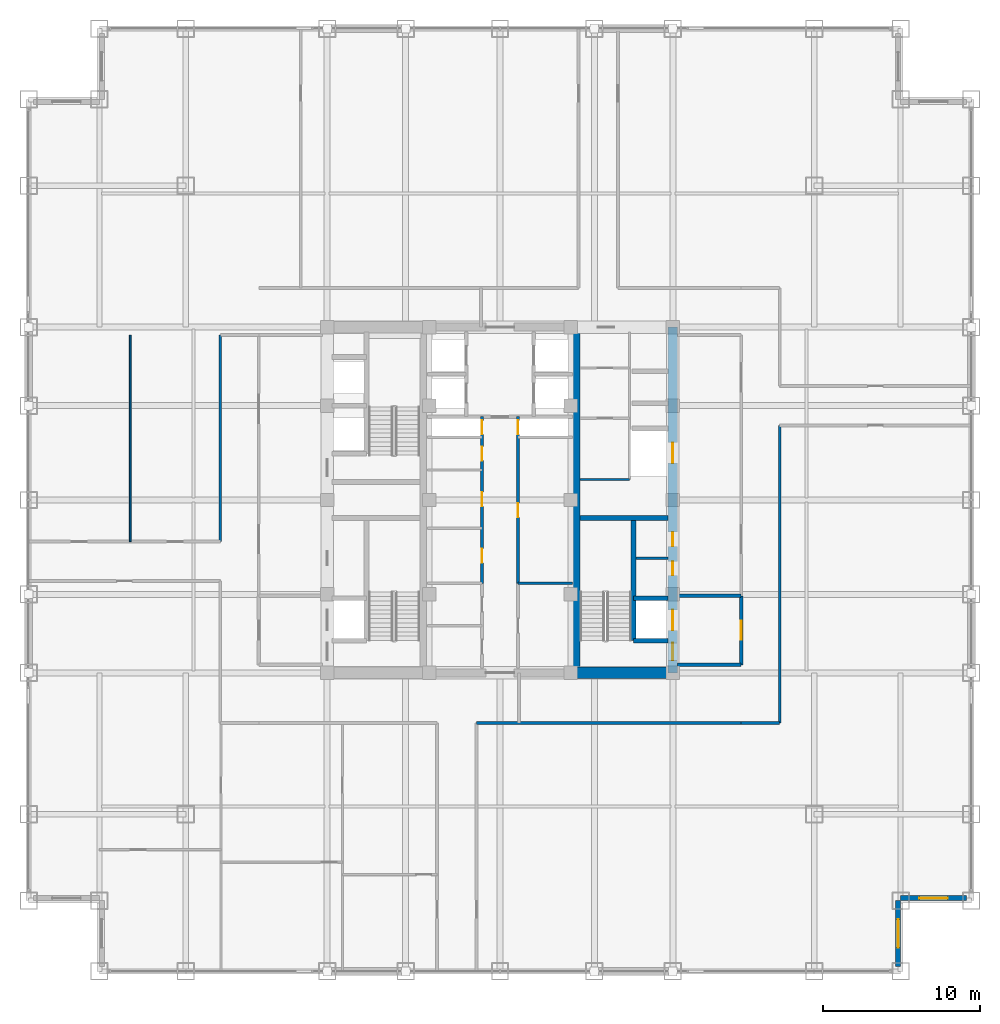
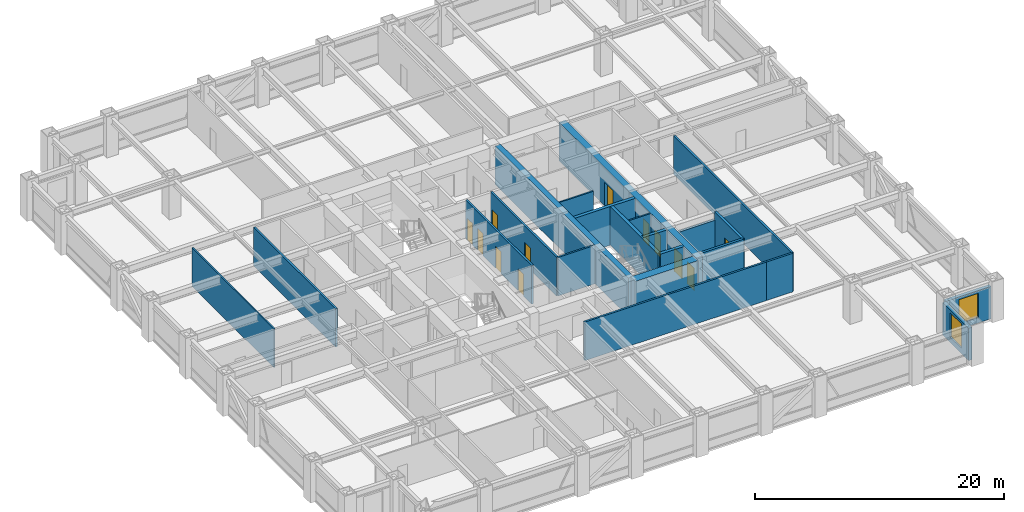
# One storey, part 21 of 24: 22 walls, 12 doors, 2 windows, 14 openings.
"""IFC4 building model written with IfcOpenShell, lengths in metres."""

from ifc_helpers import new_model, si_unit, direction, frame, frame_2d, origin, place, context, subcontext, project, spatial, rectangle, extrude, source, transform, mapped, material, layer, layer_set, type_object, element, fill, save


model = new_model("IFC4")

# Units and contexts
model_context = context("Model", 3, precision=1e-05, world=origin(), true_north=direction((0.0, 1.0)))
body_context = subcontext(model_context, "Body", "Model", "MODEL_VIEW")
ifc_project = project(units=[si_unit("LENGTHUNIT", "METRE"), si_unit("AREAUNIT", "SQUARE_METRE"), si_unit("VOLUMEUNIT", "CUBIC_METRE"), si_unit("PLANEANGLEUNIT", "RADIAN"), si_unit("MASSUNIT", "GRAM", prefix="KILO")], contexts=[model_context])

# Site, building, storey
site_placement = place(None, origin())
site = spatial("IfcSite", under=ifc_project, at=site_placement, CompositionType="ELEMENT")
building_placement = place(site_placement, origin())
building = spatial("IfcBuilding", under=site, at=building_placement, Name="Khorayat Bourse Tower", CompositionType="ELEMENT")
storey_placement = place(building_placement, frame((0.0, 0.0, 171.10009765625)))
storey = spatial("IfcBuildingStorey", under=building, at=storey_placement, Name="L39", CompositionType="ELEMENT", Elevation=171.10009765625)

# Wall, openings, doors
ifc_material_1 = material(Name="Concrete C60/75", Category="concrete")
ifc_layer_1 = layer(ifc_material_1, 0.60009765625)
ifc_layer_set_1 = layer_set([ifc_layer_1], Name="Concrete C60/75")
wall_type_1 = type_object("IfcWallType", Name="WAL-CORE-600", PredefinedType="SHEAR", material=ifc_layer_set_1)
shared_shape_1 = source(origin(), body_context, "Body", "SweptSolid", [
    extrude(rectangle(XDim=22.0, YDim=0.60009765625, at=frame_2d((11.0, 0.0))), origin(), (0.0, 0.0, 1.0), 3.77978515625),
])
wall_1_placement = place(storey_placement, frame((11.0, -11.0, 0.0), z_axis=(0.0, 0.0, 1.0), x_axis=(0.0, 1.0, 0.0)))
wall_1 = element("IfcWall", 1, at=wall_1_placement, inside=storey, type_object=wall_type_1, Name="L39 Core Shear Wall CORE-E", PredefinedType="SHEAR", context=body_context, shape_type="MappedRepresentation", body=[
    mapped(shared_shape_1, transform((0.0, 0.0, 0.0), scale=1.0)),
])
shared_shape_2 = source(origin(), body_context, "Body", "SweptSolid", [
    extrude(rectangle(XDim=1.10009765625, YDim=2.199951171875, at=frame_2d((0.550048828125, 1.10009765625))), frame((0.0, 0.31005859375, 0.0), z_axis=(0.0, -1.0, 0.0), x_axis=(1.0, 0.0, 0.0)), (0.0, 0.0, 1.0), 0.6201171875),
])
opening_1_placement = place(wall_1_placement, frame((0.800048828125, 0.0, 0.0)))
opening_1 = element("IfcOpeningElement", 2, at=opening_1_placement, cuts=wall_1, Name="Opening DI-01", PredefinedType="OPENING", context=body_context, shape_type="MappedRepresentation", body=[
    mapped(shared_shape_2, transform((0.0, 0.0, 0.0), scale=1.0)),
])
shared_shape_3 = source(origin(), body_context, "Body", "SweptSolid", [
    extrude(rectangle(XDim=0.89990234375, YDim=2.14990234375, at=frame_2d((0.449951171875, 1.074951171875))), frame((0.0, 0.31005859375, 0.0), z_axis=(0.0, -1.0, 0.0), x_axis=(1.0, 0.0, 0.0)), (0.0, 0.0, 1.0), 0.6201171875),
])
opening_2_placement = place(wall_1_placement, frame((6.199951171875, 0.0, 0.0)))
opening_2 = element("IfcOpeningElement", 3, at=opening_2_placement, cuts=wall_1, Name="Opening DI-06", PredefinedType="OPENING", context=body_context, shape_type="MappedRepresentation", body=[
    mapped(shared_shape_3, transform((0.0, 0.0, 0.0), scale=1.0)),
])
opening_3_placement = place(wall_1_placement, frame((8.050048828125, 0.0, 0.0)))
opening_3 = element("IfcOpeningElement", 4, at=opening_3_placement, cuts=wall_1, Name="Opening DI-06", PredefinedType="OPENING", context=body_context, shape_type="MappedRepresentation", body=[
    mapped(shared_shape_3, transform((0.0, 0.0, 0.0), scale=1.0)),
])
shared_shape_4 = source(origin(), body_context, "Body", "SweptSolid", [
    extrude(rectangle(XDim=1.300048828125, YDim=2.300048828125, at=frame_2d((0.64990234375, 1.14990234375))), frame((0.0, 0.31005859375, 0.0), z_axis=(0.0, -1.0, 0.0), x_axis=(1.0, 0.0, 0.0)), (0.0, 0.0, 1.0), 0.6201171875),
])
opening_4_placement = place(wall_1_placement, frame((2.699951171875, 0.0, 0.0)))
opening_4 = element("IfcOpeningElement", 5, at=opening_4_placement, cuts=wall_1, Name="Opening LD-02", PredefinedType="OPENING", context=body_context, shape_type="MappedRepresentation", body=[
    mapped(shared_shape_4, transform((0.0, 0.0, 0.0), scale=1.0)),
])
opening_5_placement = place(wall_1_placement, frame((13.35009765625, 0.0, 0.0)))
opening_5 = element("IfcOpeningElement", 6, at=opening_5_placement, cuts=wall_1, Name="Opening LD-02", PredefinedType="OPENING", context=body_context, shape_type="MappedRepresentation", body=[
    mapped(shared_shape_4, transform((0.0, 0.0, 0.0), scale=1.0)),
])
ifc_material_2 = material(Name="Fire-rated steel acoustic leaf", Category="steel")
door_type_1 = type_object("IfcDoorType", Name="DR-INT-STAIR-1100", OperationType="NOTDEFINED", PredefinedType="DOOR", material=ifc_material_2)
shared_shape_5 = source(origin(), body_context, "Body", "SweptSolid", [
    extrude(rectangle(XDim=1.10009765625, YDim=2.199951171875, at=frame_2d((0.550048828125, 1.10009765625))), frame((0.0, 0.02490234375, 0.0), z_axis=(0.0, -1.0, 0.0), x_axis=(1.0, 0.0, 0.0)), (0.0, 0.0, 1.0), 0.050048828125),
])
door_1_placement = place(opening_1_placement, origin())
door_1 = element("IfcDoor", 7, at=door_1_placement, inside=storey, type_object=door_type_1, Name="L39 Exit Stair 3 Door", OperationType="SINGLE_SWING_LEFT", OverallHeight=2.199951171875, OverallWidth=1.10009765625, PredefinedType="DOOR", context=body_context, shape_type="MappedRepresentation", body=[
    mapped(shared_shape_5, transform((0.0, 0.0, 0.0), scale=1.0)),
])
fill(opening_1, door_1)
ifc_material_3 = material(Name="Moisture-resistant laminate washroom door")
door_type_2 = type_object("IfcDoorType", Name="DR-INT-WC-900", OperationType="NOTDEFINED", PredefinedType="DOOR", material=ifc_material_3)
shared_shape_6 = source(origin(), body_context, "Body", "SweptSolid", [
    extrude(rectangle(XDim=0.89990234375, YDim=2.14990234375, at=frame_2d((0.449951171875, 1.074951171875))), frame((0.0, 0.02490234375, 0.0), z_axis=(0.0, -1.0, 0.0), x_axis=(1.0, 0.0, 0.0)), (0.0, 0.0, 1.0), 0.050048828125),
])
door_2_placement = place(opening_2_placement, origin())
door_2 = element("IfcDoor", 8, at=door_2_placement, inside=storey, type_object=door_type_2, Name="L39 Comms Closet Door", OperationType="SINGLE_SWING_LEFT", OverallHeight=2.14990234375, OverallWidth=0.89990234375, PredefinedType="DOOR", context=body_context, shape_type="MappedRepresentation", body=[
    mapped(shared_shape_6, transform((0.0, 0.0, 0.0), scale=1.0)),
])
fill(opening_2, door_2)
door_3_placement = place(opening_3_placement, origin())
door_3 = element("IfcDoor", 9, at=door_3_placement, inside=storey, type_object=door_type_2, Name="L39 Cleaner Store Door", OperationType="SINGLE_SWING_RIGHT", OverallHeight=2.14990234375, OverallWidth=0.89990234375, PredefinedType="DOOR", context=body_context, shape_type="MappedRepresentation", body=[
    mapped(shared_shape_6, transform((0.0, 0.0, 0.0), scale=1.0)),
])
fill(opening_3, door_3)
ifc_material_4 = material(Name="Fire-rated stainless-steel sliding landing door", Category="steel")
door_type_3 = type_object("IfcDoorType", Name="DR-LIFT-FF-1300", OperationType="NOTDEFINED", PredefinedType="DOOR", material=ifc_material_4)
shared_shape_7 = source(origin(), body_context, "Body", "SweptSolid", [
    extrude(rectangle(XDim=1.300048828125, YDim=2.300048828125, at=frame_2d((0.64990234375, 1.14990234375))), frame((0.0, 0.02490234375, 0.0), z_axis=(0.0, -1.0, 0.0), x_axis=(1.0, 0.0, 0.0)), (0.0, 0.0, 1.0), 0.050048828125),
])
door_4_placement = place(opening_4_placement, origin())
door_4 = element("IfcDoor", 10, at=door_4_placement, inside=storey, type_object=door_type_3, Name="L39 Lift FFL-02 Sliding Landing Door", OperationType="SLIDING_TO_LEFT", OverallHeight=2.300048828125, OverallWidth=1.300048828125, PredefinedType="DOOR", context=body_context, shape_type="MappedRepresentation", body=[
    mapped(shared_shape_7, transform((0.0, 0.0, 0.0), scale=1.0)),
])
fill(opening_4, door_4)
door_5_placement = place(opening_5_placement, origin())
door_5 = element("IfcDoor", 11, at=door_5_placement, inside=storey, type_object=door_type_3, Name="L39 Lift SVL-01 Sliding Landing Door", OperationType="SLIDING_TO_LEFT", OverallHeight=2.300048828125, OverallWidth=1.300048828125, PredefinedType="DOOR", context=body_context, shape_type="MappedRepresentation", body=[
    mapped(shared_shape_7, transform((0.0, 0.0, 0.0), scale=1.0)),
])
fill(opening_5, door_5)

# Walls
ifc_material_5 = material(Name="Concrete C52/65", Category="concrete")
ifc_layer_2 = layer(ifc_material_5, 0.5)
ifc_layer_set_2 = layer_set([ifc_layer_2], Name="Concrete C52/65")
wall_type_2 = type_object("IfcWallType", Name="WAL-CORE-500", PredefinedType="SHEAR", material=ifc_layer_set_2)
shared_shape_8 = source(origin(), body_context, "Body", "SweptSolid", [
    extrude(rectangle(XDim=21.39990234375, YDim=0.5, at=frame_2d((10.699951171875, 0.0))), origin(), (0.0, 0.0, 1.0), 3.77978515625),
])
wall_2_placement = place(storey_placement, frame((4.85009765625, -10.699951171875, 0.0), z_axis=(0.0, 0.0, 1.0), x_axis=(0.0, 1.0, 0.0)))
element("IfcWall", 12, at=wall_2_placement, inside=storey, type_object=wall_type_2, Name="L39 Core Shear Wall PIER-E", PredefinedType="SHEAR", context=body_context, shape_type="MappedRepresentation", body=[
    mapped(shared_shape_8, transform((0.0, 0.0, 0.0), scale=1.0)),
])
ifc_material_6 = material(Name="Concrete C72/90", Category="concrete")
ifc_layer_3 = layer(ifc_material_6, 0.75)
ifc_layer_set_3 = layer_set([ifc_layer_3], Name="Concrete C72/90")
wall_type_3 = type_object("IfcWallType", Name="WAL-CORE-750", PredefinedType="SHEAR", material=ifc_layer_set_3)
shared_shape_9 = source(origin(), body_context, "Body", "SweptSolid", [
    extrude(rectangle(XDim=5.849853515625, YDim=0.75, at=frame_2d((2.9248046875, 0.0))), origin(), (0.0, 0.0, 1.0), 3.77978515625),
])
wall_3_placement = place(storey_placement, frame((4.85009765625, -11.0, 0.0), z_axis=(0.0, 0.0, 1.0), x_axis=(1.0, 0.0, 0.0)))
element("IfcWall", 13, at=wall_3_placement, inside=storey, type_object=wall_type_3, Name="L39 Core Shear Wall PIER-ES", PredefinedType="SHEAR", context=body_context, shape_type="MappedRepresentation", body=[
    mapped(shared_shape_9, transform((0.0, 0.0, 0.0), scale=1.0)),
])
ifc_material_7 = material(Name="Concrete C50/60", Category="concrete")
ifc_layer_4 = layer(ifc_material_7, 0.300048828125)
ifc_layer_set_4 = layer_set([ifc_layer_4], Name="Concrete C50/60")
wall_type_4 = type_object("IfcWallType", Name="WAL-SHAFT-300", PredefinedType="SHEAR", material=ifc_layer_set_4)
shared_shape_10 = source(origin(), body_context, "Body", "SweptSolid", [
    extrude(rectangle(XDim=5.599853515625, YDim=0.300048828125, at=frame_2d((2.7998046875, 0.0))), origin(), (0.0, 0.0, 1.0), 3.77978515625),
])
wall_4_placement = place(storey_placement, frame((5.10009765625, -1.14990234375, 0.0), z_axis=(0.0, 0.0, 1.0), x_axis=(1.0, 0.0, 0.0)))
element("IfcWall", 14, at=wall_4_placement, inside=storey, type_object=wall_type_4, Name="L39 Core Shear Wall ST3-DIV", PredefinedType="SHEAR", context=body_context, shape_type="MappedRepresentation", body=[
    mapped(shared_shape_10, transform((0.0, 0.0, 0.0), scale=1.0)),
])

# Wall, opening, window
ifc_material_8 = material(Name="Precast concrete C45/55", Category="concrete")
ifc_layer_5 = layer(ifc_material_8, 0.320068359375)
ifc_layer_set_5 = layer_set([ifc_layer_5], Name="Precast concrete C45/55")
wall_type_5 = type_object("IfcWallType", Name="WAL-EXT-STONE-320", PredefinedType="STANDARD", material=ifc_layer_set_5)
shared_shape_11 = source(origin(), body_context, "Body", "SweptSolid", [
    extrude(rectangle(XDim=4.179931640625, YDim=0.320068359375, at=frame_2d((2.08984375, 0.0))), origin(), (0.0, 0.0, 1.0), 3.163818359375),
])
wall_5_placement = place(storey_placement, frame((25.340087890625, -29.679931640625, 0.0), z_axis=(0.0, 0.0, 1.0), x_axis=(0.0, 1.0, 0.0)))
wall_5 = element("IfcWall", 15, at=wall_5_placement, inside=storey, type_object=wall_type_5, Name="L39 Re-Entrant Notch Limestone Wall SE-V", PredefinedType="STANDARD", context=body_context, shape_type="MappedRepresentation", body=[
    mapped(shared_shape_11, transform((0.0, 0.0, 0.0), scale=1.0)),
])
shared_shape_12 = source(origin(), body_context, "Body", "SweptSolid", [
    extrude(rectangle(XDim=1.800048828125, YDim=2.39990234375, at=frame_2d((0.89990234375, 1.199951171875))), frame((0.0, 0.169921875, 0.0), z_axis=(0.0, -1.0, 0.0), x_axis=(1.0, 0.0, 0.0)), (0.0, 0.0, 1.0), 0.340087890625),
])
opening_6_placement = place(wall_5_placement, frame((1.18994140625, 0.0, 0.5)))
opening_6 = element("IfcOpeningElement", 16, at=opening_6_placement, cuts=wall_5, Name="Opening WN-04", PredefinedType="OPENING", context=body_context, shape_type="MappedRepresentation", body=[
    mapped(shared_shape_12, transform((0.0, 0.0, 0.0), scale=1.0)),
])
ifc_material_9 = material(Name="Low-E acoustic laminated double glazing", Category="glass")
window_type = type_object("IfcWindowType", Name="WIN-NOTCH-1800x2400", PartitioningType="SINGLE_PANEL", PredefinedType="WINDOW", material=ifc_material_9)
shared_shape_13 = source(origin(), body_context, "Body", "SweptSolid", [
    extrude(rectangle(XDim=1.800048828125, YDim=2.39990234375, at=frame_2d((0.89990234375, 1.199951171875))), frame((0.0, 0.030029296875, 0.0), z_axis=(0.0, -1.0, 0.0), x_axis=(1.0, 0.0, 0.0)), (0.0, 0.0, 1.0), 0.06005859375),
])
window_1_placement = place(opening_6_placement, origin())
window_1 = element("IfcWindow", 17, at=window_1_placement, inside=storey, type_object=window_type, Name="L39 Facade Window 1", OverallHeight=2.39990234375, OverallWidth=1.800048828125, PartitioningType="SINGLE_PANEL", PredefinedType="WINDOW", context=body_context, shape_type="MappedRepresentation", body=[
    mapped(shared_shape_13, transform((0.0, 0.0, 0.0), scale=1.0)),
])
fill(opening_6, window_1)

wall_6_placement = place(storey_placement, frame((25.5, -25.340087890625, 0.0), z_axis=(0.0, 0.0, 1.0), x_axis=(1.0, 0.0, 0.0)))
wall_6 = element("IfcWall", 18, at=wall_6_placement, inside=storey, type_object=wall_type_5, Name="L39 Re-Entrant Notch Limestone Wall SE-H", PredefinedType="STANDARD", context=body_context, shape_type="MappedRepresentation", body=[
    mapped(shared_shape_11, transform((0.0, 0.0, 0.0), scale=1.0)),
])
opening_7_placement = place(wall_6_placement, frame((1.18994140625, 0.0, 0.5)))
opening_7 = element("IfcOpeningElement", 19, at=opening_7_placement, cuts=wall_6, Name="Opening WN-04", PredefinedType="OPENING", context=body_context, shape_type="MappedRepresentation", body=[
    mapped(shared_shape_12, transform((0.0, 0.0, 0.0), scale=1.0)),
])
window_2_placement = place(opening_7_placement, origin())
window_2 = element("IfcWindow", 20, at=window_2_placement, inside=storey, type_object=window_type, Name="L39 Facade Window 1", OverallHeight=2.39990234375, OverallWidth=1.800048828125, PartitioningType="SINGLE_PANEL", PredefinedType="WINDOW", context=body_context, shape_type="MappedRepresentation", body=[
    mapped(shared_shape_13, transform((0.0, 0.0, 0.0), scale=1.0)),
])
fill(opening_7, window_2)

# Walls
shared_shape_14 = source(origin(), body_context, "Body", "SweptSolid", [
    extrude(rectangle(XDim=7.800048828125, YDim=0.300048828125, at=frame_2d((3.89990234375, 0.0))), origin(), (0.0, 0.0, 1.0), 3.77978515625),
])
wall_7_placement = place(storey_placement, frame((8.5, -8.949951171875, 0.0), z_axis=(0.0, 0.0, 1.0), x_axis=(0.0, 1.0, 0.0)))
element("IfcWall", 21, at=wall_7_placement, inside=storey, type_object=wall_type_4, Name="L39 Partition WAL-L39-EPIER-SP", PredefinedType="SHEAR", context=body_context, shape_type="MappedRepresentation", body=[
    mapped(shared_shape_14, transform((0.0, 0.0, 0.0), scale=1.0)),
])
shared_shape_15 = source(origin(), body_context, "Body", "SweptSolid", [
    extrude(rectangle(XDim=2.199951171875, YDim=0.300048828125, at=frame_2d((1.10009765625, 0.0))), origin(), (0.0, 0.0, 1.0), 3.77978515625),
])
for number, where, z_axis, x_axis, name in (
    (22, (8.5, -8.949951171875, 0.0), (0.0, 0.0, 1.0), (1.0, 0.0, 0.0), "L39 Partition WAL-L39-EPIER-FF2S"),
    (23, (8.5, -6.25, 0.0), (0.0, 0.0, 1.0), (1.0, 0.0, 0.0), "L39 Partition WAL-L39-EPIER-FF2N"),
):
    element("IfcWall", number, at=place(storey_placement, frame(where, z_axis=z_axis, x_axis=x_axis)), inside=storey, type_object=wall_type_4, Name=name, PredefinedType="SHEAR", context=body_context, shape_type="MappedRepresentation", body=[
        mapped(shared_shape_15, transform((0.0, 0.0, 0.0), scale=1.0)),
    ])
ifc_material_10 = material(Name="Gypsum plasterboard twin-frame partition")
ifc_layer_6 = layer(ifc_material_10, 0.14990234375)
ifc_layer_set_6 = layer_set([ifc_layer_6], Name="Gypsum plasterboard twin-frame partition")
wall_type_6 = type_object("IfcWallType", Name="WAL-PART-SUITE-150", PredefinedType="PARTITIONING", material=ifc_layer_set_6)
shared_shape_16 = source(origin(), body_context, "Body", "SweptSolid", [
    extrude(rectangle(XDim=2.050048828125, YDim=0.14990234375, at=frame_2d((1.02490234375, 0.0))), origin(), (0.0, 0.0, 1.0), 3.77978515625),
])
wall_8_placement = place(storey_placement, frame((8.64990234375, -3.699951171875, 0.0), z_axis=(0.0, 0.0, 1.0), x_axis=(1.0, 0.0, 0.0)))
element("IfcWall", 24, at=wall_8_placement, inside=storey, type_object=wall_type_6, Name="L39 Partition WAL-L39-ESRV-D1", PredefinedType="PARTITIONING", context=body_context, shape_type="MappedRepresentation", body=[
    mapped(shared_shape_16, transform((0.0, 0.0, 0.0), scale=1.0)),
])
ifc_material_11 = material(Name="Moisture-resistant masonry partition", Category="masonry")
ifc_layer_7 = layer(ifc_material_11, 0.139892578125)
ifc_layer_set_7 = layer_set([ifc_layer_7], Name="Moisture-resistant masonry partition")
wall_type_7 = type_object("IfcWallType", Name="WAL-PART-WET-140", PredefinedType="PARTITIONING", material=ifc_layer_set_7)
shared_shape_17 = source(origin(), body_context, "Body", "SweptSolid", [
    extrude(rectangle(XDim=3.14990234375, YDim=0.139892578125, at=frame_2d((1.574951171875, 0.0))), origin(), (0.0, 0.0, 1.0), 3.77978515625),
])
wall_9_placement = place(storey_placement, frame((5.10009765625, 1.300048828125, 0.0), z_axis=(0.0, 0.0, 1.0), x_axis=(1.0, 0.0, 0.0)))
element("IfcWall", 25, at=wall_9_placement, inside=storey, type_object=wall_type_7, Name="L39 Partition WAL-L39-ECORE-S", PredefinedType="PARTITIONING", context=body_context, shape_type="MappedRepresentation", body=[
    mapped(shared_shape_17, transform((0.0, 0.0, 0.0), scale=1.0)),
])
ifc_material_12 = material(Name="Aerated concrete blockwork", Category="masonry")
ifc_layer_8 = layer(ifc_material_12, 0.219970703125)
ifc_layer_set_8 = layer_set([ifc_layer_8], Name="Aerated concrete blockwork")
wall_type_8 = type_object("IfcWallType", Name="WAL-PART-FF-220", PredefinedType="PARTITIONING", material=ifc_layer_set_8)
shared_shape_18 = source(origin(), body_context, "Body", "SweptSolid", [
    extrude(rectangle(XDim=4.050048828125, YDim=0.219970703125, at=frame_2d((2.02490234375, 0.0))), origin(), (0.0, 0.0, 1.0), 3.77978515625),
])
wall_10_placement = place(storey_placement, frame((11.300048828125, -10.5, 0.0), z_axis=(0.0, 0.0, 1.0), x_axis=(1.0, 0.0, 0.0)))
element("IfcWall", 26, at=wall_10_placement, inside=storey, type_object=wall_type_8, Name="L39 Partition WAL-L39-FFLE-S", PredefinedType="PARTITIONING", context=body_context, shape_type="MappedRepresentation", body=[
    mapped(shared_shape_18, transform((0.0, 0.0, 0.0), scale=1.0)),
])
shared_shape_19 = source(origin(), body_context, "Body", "SweptSolid", [
    extrude(rectangle(XDim=4.050048828125, YDim=0.219970703125, at=frame_2d((2.02490234375, 0.0))), origin(), (0.0, 0.0, 1.0), 3.0068359375),
])
wall_11_placement = place(storey_placement, frame((11.300048828125, -6.10009765625, 0.0), z_axis=(0.0, 0.0, 1.0), x_axis=(1.0, 0.0, 0.0)))
element("IfcWall", 27, at=wall_11_placement, inside=storey, type_object=wall_type_8, Name="L39 Partition WAL-L39-FFLE-N", PredefinedType="PARTITIONING", context=body_context, shape_type="MappedRepresentation", body=[
    mapped(shared_shape_19, transform((0.0, 0.0, 0.0), scale=1.0)),
])

# Wall, opening, door
shared_shape_20 = source(origin(), body_context, "Body", "SweptSolid", [
    extrude(rectangle(XDim=4.39990234375, YDim=0.219970703125, at=frame_2d((2.199951171875, 0.0))), origin(), (0.0, 0.0, 1.0), 3.77978515625),
])
wall_12_placement = place(storey_placement, frame((15.35009765625, -10.5, 0.0), z_axis=(0.0, 0.0, 1.0), x_axis=(0.0, 1.0, 0.0)))
wall_12 = element("IfcWall", 28, at=wall_12_placement, inside=storey, type_object=wall_type_8, Name="L39 Partition WAL-L39-FFLE-E", PredefinedType="PARTITIONING", context=body_context, shape_type="MappedRepresentation", body=[
    mapped(shared_shape_20, transform((0.0, 0.0, 0.0), scale=1.0)),
])
shared_shape_21 = source(origin(), body_context, "Body", "SweptSolid", [
    extrude(rectangle(XDim=1.199951171875, YDim=2.199951171875, at=frame_2d((0.60009765625, 1.10009765625))), frame((0.0, 0.119873046875, 0.0), z_axis=(0.0, -1.0, 0.0), x_axis=(1.0, 0.0, 0.0)), (0.0, 0.0, 1.0), 0.239990234375),
])
opening_8_placement = place(wall_12_placement, frame((1.60009765625, 0.0, 0.0)))
opening_8 = element("IfcOpeningElement", 29, at=opening_8_placement, cuts=wall_12, Name="Opening DI-02", PredefinedType="OPENING", context=body_context, shape_type="MappedRepresentation", body=[
    mapped(shared_shape_21, transform((0.0, 0.0, 0.0), scale=1.0)),
])
ifc_material_13 = material(Name="Fire-rated steel double-seal leaf", Category="steel")
door_type_4 = type_object("IfcDoorType", Name="DR-INT-FFLOBBY-1200", OperationType="NOTDEFINED", PredefinedType="DOOR", material=ifc_material_13)
shared_shape_22 = source(origin(), body_context, "Body", "SweptSolid", [
    extrude(rectangle(XDim=1.199951171875, YDim=2.199951171875, at=frame_2d((0.60009765625, 1.10009765625))), frame((0.0, 0.02490234375, 0.0), z_axis=(0.0, -1.0, 0.0), x_axis=(1.0, 0.0, 0.0)), (0.0, 0.0, 1.0), 0.050048828125),
])
door_6_placement = place(opening_8_placement, origin())
door_6 = element("IfcDoor", 30, at=door_6_placement, inside=storey, type_object=door_type_4, Name="L39 East Firefighting Lobby Door", OperationType="SINGLE_SWING_RIGHT", OverallHeight=2.199951171875, OverallWidth=1.199951171875, PredefinedType="DOOR", context=body_context, shape_type="MappedRepresentation", body=[
    mapped(shared_shape_22, transform((0.0, 0.0, 0.0), scale=1.0)),
])
fill(opening_8, door_6)

# Wall
shared_shape_23 = source(origin(), body_context, "Body", "SweptSolid", [
    extrude(rectangle(XDim=3.4501953125, YDim=0.14990234375, at=frame_2d((1.72509765625, 0.0))), origin(), (0.0, 0.0, 1.0), 3.77978515625),
])
wall_13_placement = place(storey_placement, frame((1.14990234375, -5.300048828125, 0.0), z_axis=(0.0, 0.0, 1.0), x_axis=(1.0, 0.0, 0.0)))
element("IfcWall", 31, at=wall_13_placement, inside=storey, type_object=wall_type_6, Name="L39 Partition WAL-L39-FB1-NE", PredefinedType="PARTITIONING", context=body_context, shape_type="MappedRepresentation", body=[
    mapped(shared_shape_23, transform((0.0, 0.0, 0.0), scale=1.0)),
])

# Wall, openings, doors
ifc_material_14 = material(Name="Gypsum plasterboard acoustic stud wall")
ifc_layer_9 = layer(ifc_material_14, 0.179931640625)
ifc_layer_set_9 = layer_set([ifc_layer_9], Name="Gypsum plasterboard acoustic stud wall")
wall_type_9 = type_object("IfcWallType", Name="WAL-PART-CORR-180", PredefinedType="PARTITIONING", material=ifc_layer_set_9)
shared_shape_24 = source(origin(), body_context, "Body", "SweptSolid", [
    extrude(rectangle(XDim=10.60009765625, YDim=0.179931640625, at=frame_2d((5.300048828125, 0.0))), origin(), (0.0, 0.0, 1.0), 3.77978515625),
])
wall_14_placement = place(storey_placement, frame((-1.14990234375, -5.300048828125, 0.0), z_axis=(0.0, 0.0, 1.0), x_axis=(0.0, 1.0, 0.0)))
wall_14 = element("IfcWall", 32, at=wall_14_placement, inside=storey, type_object=wall_type_9, Name="L39 Partition WAL-L39-CMW-L", PredefinedType="PARTITIONING", context=body_context, shape_type="MappedRepresentation", body=[
    mapped(shared_shape_24, transform((0.0, 0.0, 0.0), scale=1.0)),
])
shared_shape_25 = source(origin(), body_context, "Body", "SweptSolid", [
    extrude(rectangle(XDim=0.89990234375, YDim=2.14990234375, at=frame_2d((0.449951171875, 1.074951171875))), frame((0.0, 0.099853515625, 0.0), z_axis=(0.0, -1.0, 0.0), x_axis=(1.0, 0.0, 0.0)), (0.0, 0.0, 1.0), 0.199951171875),
])
opening_9_placement = place(wall_14_placement, frame((1.300048828125, 0.0, 0.0)))
opening_9 = element("IfcOpeningElement", 33, at=opening_9_placement, cuts=wall_14, Name="Opening DI-06", PredefinedType="OPENING", context=body_context, shape_type="MappedRepresentation", body=[
    mapped(shared_shape_25, transform((0.0, 0.0, 0.0), scale=1.0)),
])
opening_10_placement = place(wall_14_placement, frame((4.89990234375, 0.0, 0.0)))
opening_10 = element("IfcOpeningElement", 34, at=opening_10_placement, cuts=wall_14, Name="Opening DI-06", PredefinedType="OPENING", context=body_context, shape_type="MappedRepresentation", body=[
    mapped(shared_shape_25, transform((0.0, 0.0, 0.0), scale=1.0)),
])
opening_11_placement = place(wall_14_placement, frame((7.800048828125, 0.0, 0.0)))
opening_11 = element("IfcOpeningElement", 35, at=opening_11_placement, cuts=wall_14, Name="Opening DI-06", PredefinedType="OPENING", context=body_context, shape_type="MappedRepresentation", body=[
    mapped(shared_shape_25, transform((0.0, 0.0, 0.0), scale=1.0)),
])
opening_12_placement = place(wall_14_placement, frame((9.47509765625, 0.0, 0.0)))
opening_12 = element("IfcOpeningElement", 36, at=opening_12_placement, cuts=wall_14, Name="Opening DI-06", PredefinedType="OPENING", context=body_context, shape_type="MappedRepresentation", body=[
    mapped(shared_shape_25, transform((0.0, 0.0, 0.0), scale=1.0)),
])
door_7_placement = place(opening_9_placement, origin())
door_7 = element("IfcDoor", 37, at=door_7_placement, inside=storey, type_object=door_type_2, Name="L39 Male Core Washroom Door", OperationType="SINGLE_SWING_RIGHT", OverallHeight=2.14990234375, OverallWidth=0.89990234375, PredefinedType="DOOR", context=body_context, shape_type="MappedRepresentation", body=[
    mapped(shared_shape_6, transform((0.0, 0.0, 0.0), scale=1.0)),
])
fill(opening_9, door_7)
door_8_placement = place(opening_10_placement, origin())
door_8 = element("IfcDoor", 38, at=door_8_placement, inside=storey, type_object=door_type_2, Name="L39 AHU Fan Plant Room Door", OperationType="SINGLE_SWING_LEFT", OverallHeight=2.14990234375, OverallWidth=0.89990234375, PredefinedType="DOOR", context=body_context, shape_type="MappedRepresentation", body=[
    mapped(shared_shape_6, transform((0.0, 0.0, 0.0), scale=1.0)),
])
fill(opening_10, door_8)
door_9_placement = place(opening_11_placement, origin())
door_9 = element("IfcDoor", 39, at=door_9_placement, inside=storey, type_object=door_type_2, Name="L39 Janitor Store Door", OperationType="SINGLE_SWING_RIGHT", OverallHeight=2.14990234375, OverallWidth=0.89990234375, PredefinedType="DOOR", context=body_context, shape_type="MappedRepresentation", body=[
    mapped(shared_shape_6, transform((0.0, 0.0, 0.0), scale=1.0)),
])
fill(opening_11, door_9)
door_10_placement = place(opening_12_placement, origin())
door_10 = element("IfcDoor", 40, at=door_10_placement, inside=storey, type_object=door_type_2, Name="L39 West Core Riser Door", OperationType="SINGLE_SWING_LEFT", OverallHeight=2.14990234375, OverallWidth=0.89990234375, PredefinedType="DOOR", context=body_context, shape_type="MappedRepresentation", body=[
    mapped(shared_shape_6, transform((0.0, 0.0, 0.0), scale=1.0)),
])
fill(opening_12, door_10)

wall_15_placement = place(storey_placement, frame((1.14990234375, -5.300048828125, 0.0), z_axis=(0.0, 0.0, 1.0), x_axis=(0.0, 1.0, 0.0)))
wall_15 = element("IfcWall", 41, at=wall_15_placement, inside=storey, type_object=wall_type_9, Name="L39 Partition WAL-L39-CME-L", PredefinedType="PARTITIONING", context=body_context, shape_type="MappedRepresentation", body=[
    mapped(shared_shape_24, transform((0.0, 0.0, 0.0), scale=1.0)),
])
opening_13_placement = place(wall_15_placement, frame((4.199951171875, 0.0, 0.0)))
opening_13 = element("IfcOpeningElement", 42, at=opening_13_placement, cuts=wall_15, Name="Opening DI-06", PredefinedType="OPENING", context=body_context, shape_type="MappedRepresentation", body=[
    mapped(shared_shape_25, transform((0.0, 0.0, 0.0), scale=1.0)),
])
opening_14_placement = place(wall_15_placement, frame((9.47509765625, 0.0, 0.0)))
opening_14 = element("IfcOpeningElement", 43, at=opening_14_placement, cuts=wall_15, Name="Opening DI-06", PredefinedType="OPENING", context=body_context, shape_type="MappedRepresentation", body=[
    mapped(shared_shape_25, transform((0.0, 0.0, 0.0), scale=1.0)),
])
door_11_placement = place(opening_13_placement, origin())
door_11 = element("IfcDoor", 44, at=door_11_placement, inside=storey, type_object=door_type_2, Name="L39 Female Core Washroom Door", OperationType="SINGLE_SWING_RIGHT", OverallHeight=2.14990234375, OverallWidth=0.89990234375, PredefinedType="DOOR", context=body_context, shape_type="MappedRepresentation", body=[
    mapped(shared_shape_6, transform((0.0, 0.0, 0.0), scale=1.0)),
])
fill(opening_13, door_11)
door_12_placement = place(opening_14_placement, origin())
door_12 = element("IfcDoor", 45, at=door_12_placement, inside=storey, type_object=door_type_2, Name="L39 East Core Riser Door", OperationType="SINGLE_SWING_RIGHT", OverallHeight=2.14990234375, OverallWidth=0.89990234375, PredefinedType="DOOR", context=body_context, shape_type="MappedRepresentation", body=[
    mapped(shared_shape_6, transform((0.0, 0.0, 0.0), scale=1.0)),
])
fill(opening_14, door_12)

# Walls
shared_shape_26 = source(origin(), body_context, "Body", "SweptSolid", [
    extrude(rectangle(XDim=2.449951171875, YDim=0.179931640625, at=frame_2d((1.22509765625, 0.0))), origin(), (0.0, 0.0, 1.0), 3.77978515625),
])
wall_16_placement = place(storey_placement, frame((15.35009765625, -14.199951171875, 0.0), z_axis=(0.0, 0.0, 1.0), x_axis=(1.0, 0.0, 0.0)))
element("IfcWall", 46, at=wall_16_placement, inside=storey, type_object=wall_type_9, Name="L39 Partition WAL-L39-C2-ES", PredefinedType="PARTITIONING", context=body_context, shape_type="MappedRepresentation", body=[
    mapped(shared_shape_26, transform((0.0, 0.0, 0.0), scale=1.0)),
])
shared_shape_27 = source(origin(), body_context, "Body", "SweptSolid", [
    extrude(rectangle(XDim=16.85009765625, YDim=0.179931640625, at=frame_2d((8.425048828125, 0.0))), origin(), (0.0, 0.0, 1.0), 3.77978515625),
])
wall_17_placement = place(storey_placement, frame((-1.5, -14.199951171875, 0.0), z_axis=(0.0, 0.0, 1.0), x_axis=(1.0, 0.0, 0.0)))
element("IfcWall", 47, at=wall_17_placement, inside=storey, type_object=wall_type_9, Name="L39 Partition WAL-L39-QSE-HC", PredefinedType="PARTITIONING", context=body_context, shape_type="MappedRepresentation", body=[
    mapped(shared_shape_27, transform((0.0, 0.0, 0.0), scale=1.0)),
])
ifc_material_15 = material(Name="Gypsum plasterboard partition")
ifc_layer_10 = layer(ifc_material_15, 0.125)
ifc_layer_set_10 = layer_set([ifc_layer_10], Name="Gypsum plasterboard partition")
wall_type_10 = type_object("IfcWallType", Name="WAL-PART-ROOM-125", PredefinedType="PARTITIONING", material=ifc_layer_set_10)
shared_shape_28 = source(origin(), body_context, "Body", "SweptSolid", [
    extrude(rectangle(XDim=13.14990234375, YDim=0.125, at=frame_2d((6.574951171875, 0.0))), origin(), (0.0, 0.0, 1.0), 3.77978515625),
])
wall_18_placement = place(storey_placement, frame((-23.533935546875, -2.64990234375, 0.0), z_axis=(0.0, 0.0, 1.0), x_axis=(0.0, 1.0, 0.0)))
element("IfcWall", 48, at=wall_18_placement, inside=storey, type_object=wall_type_10, Name="L39 Partition WAL-L39-WN-DV", PredefinedType="PARTITIONING", context=body_context, shape_type="MappedRepresentation", body=[
    mapped(shared_shape_28, transform((0.0, 0.0, 0.0), scale=1.0)),
])
shared_shape_29 = source(origin(), body_context, "Body", "SweptSolid", [
    extrude(rectangle(XDim=13.14990234375, YDim=0.179931640625, at=frame_2d((6.574951171875, 0.0))), origin(), (0.0, 0.0, 1.0), 3.77978515625),
])
wall_19_placement = place(storey_placement, frame((-17.800048828125, -2.64990234375, 0.0), z_axis=(0.0, 0.0, 1.0), x_axis=(0.0, 1.0, 0.0)))
element("IfcWall", 49, at=wall_19_placement, inside=storey, type_object=wall_type_9, Name="L39 Partition WAL-L39-WN-IN", PredefinedType="PARTITIONING", context=body_context, shape_type="MappedRepresentation", body=[
    mapped(shared_shape_29, transform((0.0, 0.0, 0.0), scale=1.0)),
])
shared_shape_30 = source(origin(), body_context, "Body", "SweptSolid", [
    extrude(rectangle(XDim=18.949951171875, YDim=0.179931640625, at=frame_2d((9.47509765625, 0.0))), origin(), (0.0, 0.0, 1.0), 3.77978515625),
])
wall_20_placement = place(storey_placement, frame((17.800048828125, -14.199951171875, 0.0), z_axis=(0.0, 0.0, 1.0), x_axis=(0.0, 1.0, 0.0)))
element("IfcWall", 50, at=wall_20_placement, inside=storey, type_object=wall_type_9, Name="L39 Partition WAL-L39-ES-IN", PredefinedType="PARTITIONING", context=body_context, shape_type="MappedRepresentation", body=[
    mapped(shared_shape_30, transform((0.0, 0.0, 0.0), scale=1.0)),
])

save(model, "model.ifc")
